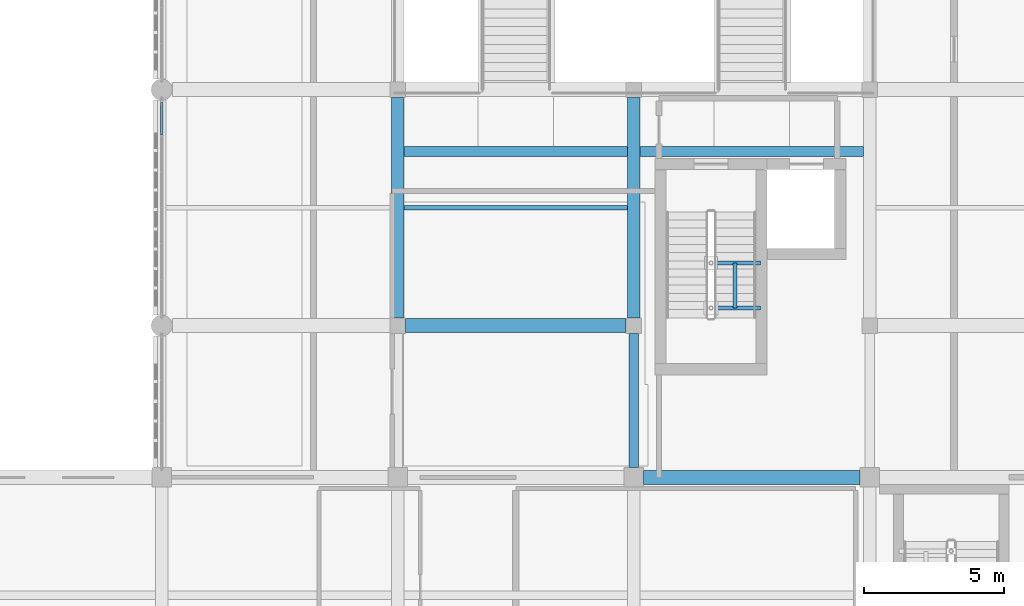
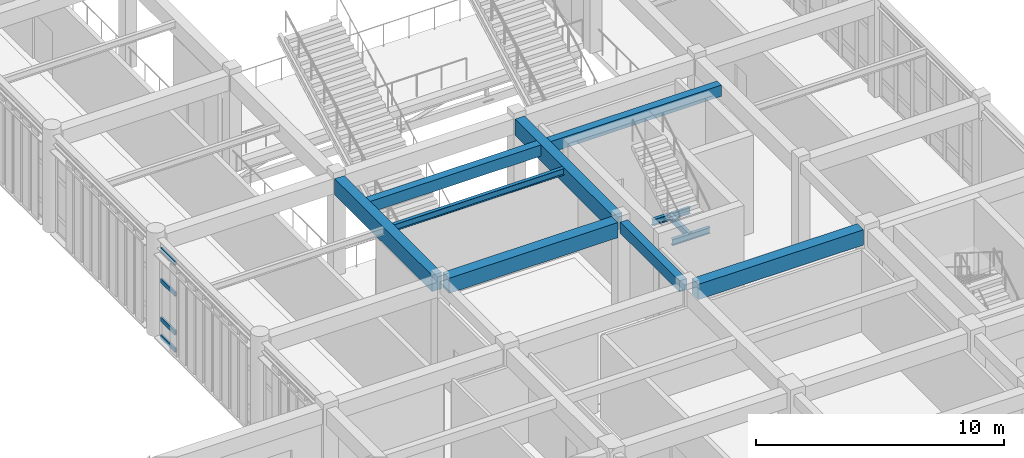
# One storey, part 16 of 106: 11 beams, 4 members, 1 element without a shape of its own.
"""IFC4 building model written with IfcOpenShell, lengths in metres."""

from ifc_helpers import new_model, si_unit, direction, frame, origin, origin_2d, place, context, subcontext, project, spatial, rectangle, hollow_rectangle, i_section, extrude, material, layer, layer_set, material_profile, profile_set, type_object, element, aggregate, save


model = new_model("IFC4")

# Units and contexts
model_context = context("Model", 3, precision=1e-05, world=origin(), true_north=direction((0.0, 1.0)))
body_context = subcontext(model_context, "Body", "Model", "MODEL_VIEW")
ifc_project = project(units=[si_unit("LENGTHUNIT", "METRE"), si_unit("AREAUNIT", "SQUARE_METRE"), si_unit("VOLUMEUNIT", "CUBIC_METRE"), si_unit("PLANEANGLEUNIT", "RADIAN"), si_unit("MASSUNIT", "GRAM", prefix="KILO")], contexts=[model_context])

# Site, building, storey
site_placement = place(None, origin())
site = spatial("IfcSite", under=ifc_project, at=site_placement, CompositionType="ELEMENT")
building_placement = place(site_placement, origin())
building = spatial("IfcBuilding", under=site, at=building_placement, Name="Krzemoval Escarpment Law Courts", CompositionType="ELEMENT")
storey_placement = place(building_placement, frame((0.0, 0.0, 5.10009765625)))
storey = spatial("IfcBuildingStorey", under=building, at=storey_placement, Name="L01", CompositionType="ELEMENT", Elevation=5.10009765625)

# Beams
ifc_material_1 = material(Name="Concrete C40/50", Category="concrete")
ifc_material_profile_1 = material_profile(ifc_material_1, rectangle(XDim=0.35009765625, YDim=0.550048828125, at=origin_2d()), Name="RCB 350x550")
ifc_profile_set_1 = profile_set([ifc_material_profile_1], Name="Concrete C40/50")
beam_type_1 = type_object("IfcBeamType", Name="BM-RC-350x550", PredefinedType="BEAM", material=ifc_profile_set_1)
beam_1_placement = place(storey_placement, frame((25.199951171875, 35.75, 4.544921875), z_axis=(0.0, 1.0, 0.0), x_axis=(-1.0, 0.0, 0.0)))
element("IfcBeam", 1, at=beam_1_placement, inside=storey, type_object=beam_type_1, Name="Beam FG-L01-1414", PredefinedType="BEAM", context=body_context, shape_type="SweptSolid", body=[
    extrude(rectangle(XDim=0.35009765625, YDim=0.550048828125, at=origin_2d()), origin(), (0.0, 0.0, 1.0), 4.77490234375),
])
beam_2_placement = place(storey_placement, frame((17.02490234375, 47.0, 4.544921875), z_axis=(1.0, 0.0, 0.0), x_axis=(0.0, 1.0, 0.0)))
element("IfcBeam", 2, at=beam_2_placement, inside=storey, type_object=beam_type_1, Name="Beam FGT-L01-007", PredefinedType="BEAM", context=body_context, shape_type="SweptSolid", body=[
    extrude(rectangle(XDim=0.35009765625, YDim=0.550048828125, at=origin_2d()), origin(), (0.0, 0.0, 1.0), 7.9501953125),
])
beam_3_placement = place(storey_placement, frame((25.425048828125, 47.0, 4.544921875), z_axis=(1.0, 0.0, 0.0), x_axis=(0.0, 1.0, 0.0)))
element("IfcBeam", 3, at=beam_3_placement, inside=storey, type_object=beam_type_1, Name="Beam FGT-L01-008", PredefinedType="BEAM", context=body_context, shape_type="SweptSolid", body=[
    extrude(rectangle(XDim=0.35009765625, YDim=0.550048828125, at=origin_2d()), origin(), (0.0, 0.0, 1.0), 7.949951171875),
])
ifc_material_2 = material(Name="Concrete C40/50", Category="concrete")
ifc_material_profile_2 = material_profile(ifc_material_2, rectangle(XDim=0.449951171875, YDim=0.800048828125, at=origin_2d()), Name="RCB 450x800")
ifc_profile_set_2 = profile_set([ifc_material_profile_2], Name="Concrete C40/50")
beam_type_2 = type_object("IfcBeamType", Name="BM-RC-450x800", PredefinedType="BEAM", material=ifc_profile_set_2)
for number, where, z_axis, x_axis, name in (
    (4, (16.800048828125, 41.074951171875, 4.419921875), (0.0, 1.0, 0.0), (-1.0, 0.0, 0.0), "Beam FG-L01-1399"),
    (5, (25.199951171875, 41.074951171875, 4.419921875), (0.0, 1.0, 0.0), (-1.0, 0.0, 0.0), "Beam FG-L01-1415"),
):
    element("IfcBeam", number, at=place(storey_placement, frame(where, z_axis=z_axis, x_axis=x_axis)), inside=storey, type_object=beam_type_2, Name=name, PredefinedType="BEAM", context=body_context, shape_type="SweptSolid", body=[
        extrude(rectangle(XDim=0.449951171875, YDim=0.800048828125, at=origin_2d()), origin(), (0.0, 0.0, 1.0), 7.85009765625),
    ])
ifc_material_3 = material(Name="Concrete C40/50", Category="concrete")
ifc_material_profile_3 = material_profile(ifc_material_3, rectangle(XDim=0.5, YDim=0.75, at=origin_2d()), Name="RCB 500x750")
ifc_profile_set_3 = profile_set([ifc_material_profile_3], Name="Concrete C40/50")
beam_type_3 = type_object("IfcBeamType", Name="BM-RC-500x750", PredefinedType="BEAM", material=ifc_profile_set_3)
beam_4_placement = place(storey_placement, frame((25.550048828125, 35.39990234375, 4.44482421875), z_axis=(1.0, 0.0, 0.0), x_axis=(0.0, 1.0, 0.0)))
element("IfcBeam", 6, at=beam_4_placement, inside=storey, type_object=beam_type_3, Name="Beam FG-L01-1218", PredefinedType="BEAM", context=body_context, shape_type="SweptSolid", body=[
    extrude(rectangle(XDim=0.5, YDim=0.75, at=origin_2d()), origin(), (0.0, 0.0, 1.0), 7.699951171875),
])
beam_5_placement = place(storey_placement, frame((17.074951171875, 40.800048828125, 4.44482421875), z_axis=(1.0, 0.0, 0.0), x_axis=(0.0, 1.0, 0.0)))
element("IfcBeam", 7, at=beam_5_placement, inside=storey, type_object=beam_type_3, Name="Beam FG-L01-1234", PredefinedType="BEAM", context=body_context, shape_type="SweptSolid", body=[
    extrude(rectangle(XDim=0.5, YDim=0.75, at=origin_2d()), origin(), (0.0, 0.0, 1.0), 7.85009765625),
])

# Curtain wall, members
ifc_material_4 = material(Name="Aluminium 6063-T6", Category="aluminium")
ifc_layer = layer(ifc_material_4, 0.280029296875)
ifc_layer_set = layer_set([ifc_layer], Name="Aluminium 6063-T6")
curtain_wall_type = type_object("IfcCurtainWallType", Name="CW-HALL-5100", PredefinedType="USERDEFINED", material=ifc_layer_set)
curtain_wall_placement = place(storey_placement, origin())
curtain_wall = element("IfcCurtainWall", 8, at=curtain_wall_placement, inside=storey, type_object=curtain_wall_type, Name="Unitised Curtain Wall FCW-L01-023", ObjectType="UNITISED_CURTAIN_WALL", PredefinedType="USERDEFINED")
ifc_material_5 = material(Name="Aluminium 6063-T6", Category="aluminium")
ifc_material_profile_4 = material_profile(ifc_material_5, hollow_rectangle(XDim=0.0849609375, YDim=0.2099609375, WallThickness=0.005615234375, at=origin_2d()), Name="ALU T85x210")
ifc_profile_set_4 = profile_set([ifc_material_profile_4], Name="Aluminium 6063-T6")
member_type = type_object("IfcMemberType", Name="CWT-85x210", PredefinedType="USERDEFINED", material=ifc_profile_set_4)
member_1_placement = place(storey_placement, frame((8.39990234375, 47.592529296875, 0.04248046875), z_axis=(0.0, 1.0, 0.0), x_axis=(-1.0, 0.0, 0.0)))
member_1 = element("IfcMember", 9, at=member_1_placement, type_object=member_type, Name="FCW-L01-023 transom 6.1", ObjectType="TRANSOM", PredefinedType="USERDEFINED", context=body_context, shape_type="SweptSolid", body=[
    extrude(hollow_rectangle(XDim=0.0849609375, YDim=0.2099609375, WallThickness=0.005615234375, at=origin_2d()), origin(), (0.0, 0.0, 1.0), 1.1474609375),
])
member_2_placement = place(storey_placement, frame((8.39990234375, 47.592529296875, 0.89990234375), z_axis=(0.0, 1.0, 0.0), x_axis=(-1.0, 0.0, 0.0)))
member_2 = element("IfcMember", 10, at=member_2_placement, type_object=member_type, Name="FCW-L01-023 transom 6.2", ObjectType="TRANSOM", PredefinedType="USERDEFINED", context=body_context, shape_type="SweptSolid", body=[
    extrude(hollow_rectangle(XDim=0.0849609375, YDim=0.2099609375, WallThickness=0.005615234375, at=origin_2d()), origin(), (0.0, 0.0, 1.0), 1.1474609375),
])
member_3_placement = place(storey_placement, frame((8.39990234375, 47.592529296875, 2.7998046875), z_axis=(0.0, 1.0, 0.0), x_axis=(-1.0, 0.0, 0.0)))
member_3 = element("IfcMember", 11, at=member_3_placement, type_object=member_type, Name="FCW-L01-023 transom 6.3", ObjectType="TRANSOM", PredefinedType="USERDEFINED", context=body_context, shape_type="SweptSolid", body=[
    extrude(hollow_rectangle(XDim=0.0849609375, YDim=0.2099609375, WallThickness=0.005615234375, at=origin_2d()), origin(), (0.0, 0.0, 1.0), 1.1474609375),
])
member_4_placement = place(storey_placement, frame((8.39990234375, 47.592529296875, 4.327392578125), z_axis=(0.0, 1.0, 0.0), x_axis=(-1.0, 0.0, 0.0)))
member_4 = element("IfcMember", 12, at=member_4_placement, type_object=member_type, Name="FCW-L01-023 transom 6.4", ObjectType="TRANSOM", PredefinedType="USERDEFINED", context=body_context, shape_type="SweptSolid", body=[
    extrude(hollow_rectangle(XDim=0.0849609375, YDim=0.2099609375, WallThickness=0.005615234375, at=origin_2d()), origin(), (0.0, 0.0, 1.0), 1.1474609375),
])
aggregate(curtain_wall, [member_1, member_2, member_3, member_4])

# Beams
ifc_material_6 = material(Name="Steel S355", Category="steel")
ifc_material_profile_5 = material_profile(ifc_material_6, i_section(OverallWidth=0.14990234375, OverallDepth=0.300048828125, WebThickness=0.007080078125, FlangeThickness=0.0107421875, at=origin_2d()), Name="IPE 300")
ifc_profile_set_5 = profile_set([ifc_material_profile_5], Name="Steel S355")
beam_type_4 = type_object("IfcBeamType", Name="JST-S355-IPE300", PredefinedType="JOIST", material=ifc_profile_set_5)
for number, where, z_axis, x_axis, name in (
    (13, (27.949951171875, 41.429931640625, 2.27001953125), (1.0, 0.0, 0.0), (0.0, 1.0, 0.0), "Stair Well Crosshead SLHW-C5-L01-1"),
    (14, (27.949951171875, 43.030029296875, 2.27001953125), (1.0, 0.0, 0.0), (0.0, 1.0, 0.0), "Stair Well Crosshead SLHW-C5-L01-2"),
):
    element("IfcBeam", number, at=place(storey_placement, frame(where, z_axis=z_axis, x_axis=x_axis)), inside=storey, type_object=beam_type_4, Name=name, PredefinedType="JOIST", context=body_context, shape_type="SweptSolid", body=[
        extrude(i_section(OverallWidth=0.14990234375, OverallDepth=0.300048828125, WebThickness=0.007080078125, FlangeThickness=0.0107421875, at=origin_2d()), origin(), (0.0, 0.0, 1.0), 1.760009765625),
    ])
beam_6_placement = place(storey_placement, frame((28.800048828125, 41.429931640625, 2.27001953125), z_axis=(0.0, 1.0, 0.0), x_axis=(-1.0, 0.0, 0.0)))
element("IfcBeam", 15, at=beam_6_placement, inside=storey, type_object=beam_type_4, Name="Stair Flight Support Stringer SLTW-C5-L01", PredefinedType="JOIST", context=body_context, shape_type="SweptSolid", body=[
    extrude(i_section(OverallWidth=0.14990234375, OverallDepth=0.300048828125, WebThickness=0.007080078125, FlangeThickness=0.0107421875, at=origin_2d()), origin(), (0.0, 0.0, 1.0), 1.60009765625),
])
ifc_material_7 = material(Name="Steel S355", Category="steel")
ifc_material_profile_6 = material_profile(ifc_material_7, i_section(OverallWidth=0.159912109375, OverallDepth=0.330078125, WebThickness=0.007568359375, FlangeThickness=0.011474609375, at=origin_2d()), Name="IPE 330")
ifc_profile_set_6 = profile_set([ifc_material_profile_6], Name="Steel S355")
beam_type_5 = type_object("IfcBeamType", Name="JST-S355-IPE330", PredefinedType="JOIST", material=ifc_profile_set_6)
beam_7_placement = place(storey_placement, frame((17.02490234375, 45.0, 4.65478515625), z_axis=(1.0, 0.0, 0.0), x_axis=(0.0, 1.0, 0.0)))
element("IfcBeam", 16, at=beam_7_placement, inside=storey, type_object=beam_type_5, Name="Secondary Joist FJ-L01-1615", PredefinedType="JOIST", context=body_context, shape_type="SweptSolid", body=[
    extrude(i_section(OverallWidth=0.159912109375, OverallDepth=0.330078125, WebThickness=0.007568359375, FlangeThickness=0.011474609375, at=origin_2d()), origin(), (0.0, 0.0, 1.0), 7.9501953125),
])

save(model, "model.ifc")
